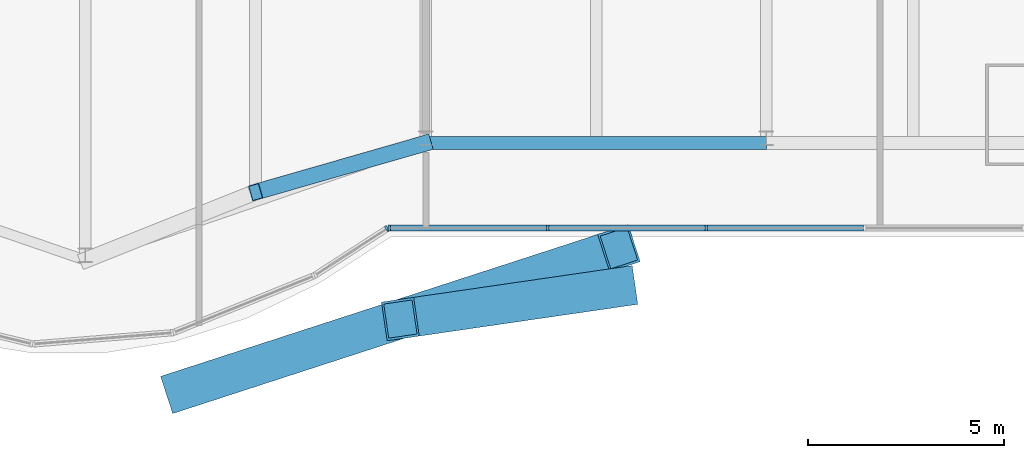
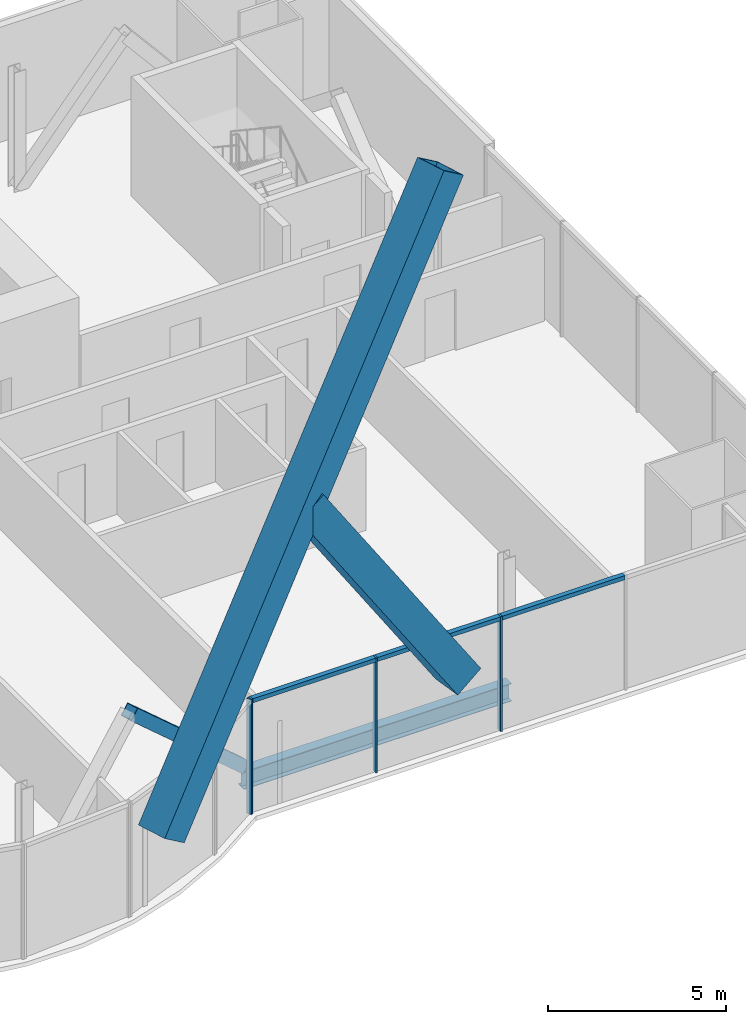
# One storey, part 10 of 22: 10 members, 1 beam, 2 elements without a shape of their own.
"""IFC4 building model written with IfcOpenShell, lengths in metres."""

from ifc_helpers import new_model, si_unit, direction, frame, origin, origin_2d, place, context, subcontext, project, spatial, rectangle, hollow_rectangle, i_section, extrude, material, material_profile, profile_set, type_object, element, aggregate, save


model = new_model("IFC4")

# Units and contexts
model_context = context("Model", 3, precision=1e-05, world=origin(), true_north=direction((0.0, 1.0)))
body_context = subcontext(model_context, "Body", "Model", "MODEL_VIEW")
ifc_project = project(units=[si_unit("LENGTHUNIT", "METRE"), si_unit("AREAUNIT", "SQUARE_METRE"), si_unit("VOLUMEUNIT", "CUBIC_METRE"), si_unit("PLANEANGLEUNIT", "RADIAN"), si_unit("MASSUNIT", "GRAM", prefix="KILO")], contexts=[model_context])

# Site, building, storey
site_placement = place(None, origin())
site = spatial("IfcSite", under=ifc_project, at=site_placement, CompositionType="ELEMENT")
building_placement = place(site_placement, origin())
building = spatial("IfcBuilding", under=site, at=building_placement, Name="Bicima Exchange Tower", CompositionType="ELEMENT")
storey_placement = place(building_placement, frame((0.0, 0.0, 203.199951171875)))
storey = spatial("IfcBuildingStorey", under=building, at=storey_placement, Name="L45", CompositionType="ELEMENT", Elevation=203.199951171875)

# Members
ifc_material_1 = material(Name="Steel ASTM A572 Gr 50", Category="steel")
ifc_material_profile_1 = material_profile(ifc_material_1, hollow_rectangle(XDim=1.0, YDim=1.0, WallThickness=0.06005859375, at=origin_2d()))
ifc_profile_set_1 = profile_set([ifc_material_profile_1], Name="Steel ASTM A572 Gr 50")
member_type_1 = type_object("IfcMemberType", Name="Exo mega brace BOX 1000x1000x60", PredefinedType="BRACE", material=ifc_profile_set_1)
member_1_placement = place(storey_placement, frame((11.166748046875, -36.392822265625, 3.63330078125), z_axis=(0.544086148819, 0.176710825587, 0.820209452995), x_axis=(-0.308900809412, 0.951094259232, 0.0)))
element("IfcMember", 1, at=member_1_placement, inside=storey, type_object=member_type_1, Name="Exo mega brace front", PredefinedType="BRACE", context=body_context, shape_type="SweptSolid", body=[
    extrude(hollow_rectangle(XDim=1.0, YDim=1.0, WallThickness=0.06005859375, at=origin_2d()), origin(), (0.0, 0.0, 1.0), 20.5234375),
])
member_2_placement = place(storey_placement, frame((22.333251953125, -33.767822265625, 3.63330078125), z_axis=(-0.551009731467, -0.080089044007, 0.830646748539), x_axis=(0.143838142422, -0.989601227154, 0.0)))
element("IfcMember", 2, at=member_2_placement, inside=storey, type_object=member_type_1, Name="Exo mega brace front", PredefinedType="BRACE", context=body_context, shape_type="SweptSolid", body=[
    extrude(hollow_rectangle(XDim=1.0, YDim=1.0, WallThickness=0.06005859375, at=origin_2d()), origin(), (0.0, 0.0, 1.0), 10.1328125),
])

# Beam
ifc_material_2 = material(Name="Steel ASTM A992 Gr 50", Category="steel")
ifc_material_profile_2 = material_profile(ifc_material_2, i_section(OverallWidth=0.3251953125, OverallDepth=0.612060546875, WebThickness=0.0126953125, FlangeThickness=0.01904296875, at=origin_2d()))
ifc_profile_set_2 = profile_set([ifc_material_profile_2], Name="Steel ASTM A992 Gr 50")
beam_type = type_object("IfcBeamType", Name="Front girder W24x104", PredefinedType="BEAM", material=ifc_profile_set_2)
beam_placement = place(storey_placement, frame((17.39990234375, -30.083984375, -0.4560546875), z_axis=(1.0, 0.0, 0.0), x_axis=(0.0, 1.0, 0.0)))
element("IfcBeam", 3, at=beam_placement, inside=storey, type_object=beam_type, Name="Front girder", PredefinedType="BEAM", context=body_context, shape_type="SweptSolid", body=[
    extrude(i_section(OverallWidth=0.3251953125, OverallDepth=0.612060546875, WebThickness=0.0126953125, FlangeThickness=0.01904296875, at=origin_2d()), origin(), (0.0, 0.0, 1.0), 8.7001953125),
])

# Curtain wall, member
ifc_material_3 = material(Name="Anodised bronze aluminium", Category="aluminium")
curtain_wall_type = type_object("IfcCurtainWallType", Name="Front glass wall", PredefinedType="NOTDEFINED", material=ifc_material_3)
curtain_wall_1_placement = place(storey_placement, origin())
curtain_wall_1 = element("IfcCurtainWall", 4, at=curtain_wall_1_placement, inside=storey, type_object=curtain_wall_type, Name="Front glass wall L45 run 11", PredefinedType="NOTDEFINED")
ifc_material_profile_3 = material_profile(ifc_material_3, rectangle(XDim=0.159912109375, YDim=0.06005859375, at=origin_2d()))
ifc_profile_set_3 = profile_set([ifc_material_profile_3], Name="Anodised bronze aluminium")
member_type_2 = type_object("IfcMemberType", Name="Front glass wall mullion 60 x 160", PredefinedType="MULLION", material=ifc_profile_set_3)
member_3_placement = place(storey_placement, frame((16.406982421875, -32.270263671875, 0.0), z_axis=(0.0, 0.0, 1.0), x_axis=(-0.542909183079, 0.839791413941, 0.0)))
member_3 = element("IfcMember", 5, at=member_3_placement, type_object=member_type_2, Name="Front glass wall mullion 2", PredefinedType="MULLION", context=body_context, shape_type="SweptSolid", body=[
    extrude(rectangle(XDim=0.159912109375, YDim=0.06005859375, at=origin_2d()), origin(), (0.0, 0.0, 1.0), 3.949951171875),
])
aggregate(curtain_wall_1, [member_3])

# Curtain wall, members
curtain_wall_2_placement = place(storey_placement, origin())
curtain_wall_2 = element("IfcCurtainWall", 6, at=curtain_wall_2_placement, inside=storey, type_object=curtain_wall_type, Name="Front glass wall L45 run 16", PredefinedType="NOTDEFINED")
member_4_placement = place(storey_placement, frame((16.462158203125, -32.25390625, 0.0), z_axis=(0.0, 0.0, 1.0), x_axis=(0.0, 1.0, 0.0)))
member_4 = element("IfcMember", 7, at=member_4_placement, type_object=member_type_2, Name="Front glass wall mullion 1", PredefinedType="MULLION", context=body_context, shape_type="SweptSolid", body=[
    extrude(rectangle(XDim=0.159912109375, YDim=0.06005859375, at=origin_2d()), origin(), (0.0, 0.0, 1.0), 3.949951171875),
])
member_5_placement = place(storey_placement, frame((20.51171875, -32.25390625, 0.0), z_axis=(0.0, 0.0, 1.0), x_axis=(0.0, 1.0, 0.0)))
member_5 = element("IfcMember", 8, at=member_5_placement, type_object=member_type_2, Name="Front glass wall mullion 2", PredefinedType="MULLION", context=body_context, shape_type="SweptSolid", body=[
    extrude(rectangle(XDim=0.159912109375, YDim=0.06005859375, at=origin_2d()), origin(), (0.0, 0.0, 1.0), 3.949951171875),
])
member_6_placement = place(storey_placement, frame((24.56103515625, -32.25390625, 0.0), z_axis=(0.0, 0.0, 1.0), x_axis=(0.0, 1.0, 0.0)))
member_6 = element("IfcMember", 9, at=member_6_placement, type_object=member_type_2, Name="Front glass wall mullion 3", PredefinedType="MULLION", context=body_context, shape_type="SweptSolid", body=[
    extrude(rectangle(XDim=0.159912109375, YDim=0.06005859375, at=origin_2d()), origin(), (0.0, 0.0, 1.0), 3.949951171875),
])
ifc_material_profile_4 = material_profile(ifc_material_3, rectangle(XDim=0.159912109375, YDim=0.139892578125, at=origin_2d()))
ifc_profile_set_4 = profile_set([ifc_material_profile_4], Name="Anodised bronze aluminium")
member_type_3 = type_object("IfcMemberType", Name="Front glass wall transom 140 x 160", PredefinedType="USERDEFINED", material=ifc_profile_set_4)
member_7_placement = place(storey_placement, frame((16.4921875, -32.25390625, 3.880126953125), z_axis=(1.0, 0.0, 0.0), x_axis=(0.0, 1.0, 0.0)))
member_7 = element("IfcMember", 10, at=member_7_placement, type_object=member_type_3, Name="Front glass wall transom 1.1", ObjectType="TRANSOM", PredefinedType="USERDEFINED", context=body_context, shape_type="SweptSolid", body=[
    extrude(rectangle(XDim=0.159912109375, YDim=0.139892578125, at=origin_2d()), origin(), (0.0, 0.0, 1.0), 3.989501953125),
])
member_8_placement = place(storey_placement, frame((20.54150390625, -32.25390625, 3.880126953125), z_axis=(1.0, 0.0, 0.0), x_axis=(0.0, 1.0, 0.0)))
member_8 = element("IfcMember", 11, at=member_8_placement, type_object=member_type_3, Name="Front glass wall transom 2.1", ObjectType="TRANSOM", PredefinedType="USERDEFINED", context=body_context, shape_type="SweptSolid", body=[
    extrude(rectangle(XDim=0.159912109375, YDim=0.139892578125, at=origin_2d()), origin(), (0.0, 0.0, 1.0), 3.989501953125),
])
member_9_placement = place(storey_placement, frame((24.591064453125, -32.25390625, 3.880126953125), z_axis=(1.0, 0.0, 0.0), x_axis=(0.0, 1.0, 0.0)))
member_9 = element("IfcMember", 12, at=member_9_placement, type_object=member_type_3, Name="Front glass wall transom 3.1", ObjectType="TRANSOM", PredefinedType="USERDEFINED", context=body_context, shape_type="SweptSolid", body=[
    extrude(rectangle(XDim=0.159912109375, YDim=0.139892578125, at=origin_2d()), origin(), (0.0, 0.0, 1.0), 3.989501953125),
])
aggregate(curtain_wall_2, [member_4, member_5, member_6, member_7, member_8, member_9])

# Member
ifc_material_profile_5 = material_profile(ifc_material_1, hollow_rectangle(XDim=0.406494140625, YDim=0.406494140625, WallThickness=0.0146484375, at=origin_2d()))
ifc_profile_set_5 = profile_set([ifc_material_profile_5], Name="Steel ASTM A572 Gr 50")
member_type_4 = type_object("IfcMemberType", Name="Mega brace HSS16x16x5/8", PredefinedType="BRACE", material=ifc_profile_set_5)
member_10_placement = place(storey_placement, frame((17.39990234375, -30.083984375, 0.0), z_axis=(-0.71224719859, -0.204915481842, 0.671352048781), x_axis=(0.27648739579, -0.961017544049, 0.0)))
element("IfcMember", 13, at=member_10_placement, inside=storey, type_object=member_type_4, Name="Mega brace front", PredefinedType="BRACE", context=body_context, shape_type="SweptSolid", body=[
    extrude(hollow_rectangle(XDim=0.406494140625, YDim=0.406494140625, WallThickness=0.0146484375, at=origin_2d()), origin(), (0.0, 0.0, 1.0), 6.107177734375),
])

save(model, "model.ifc")
